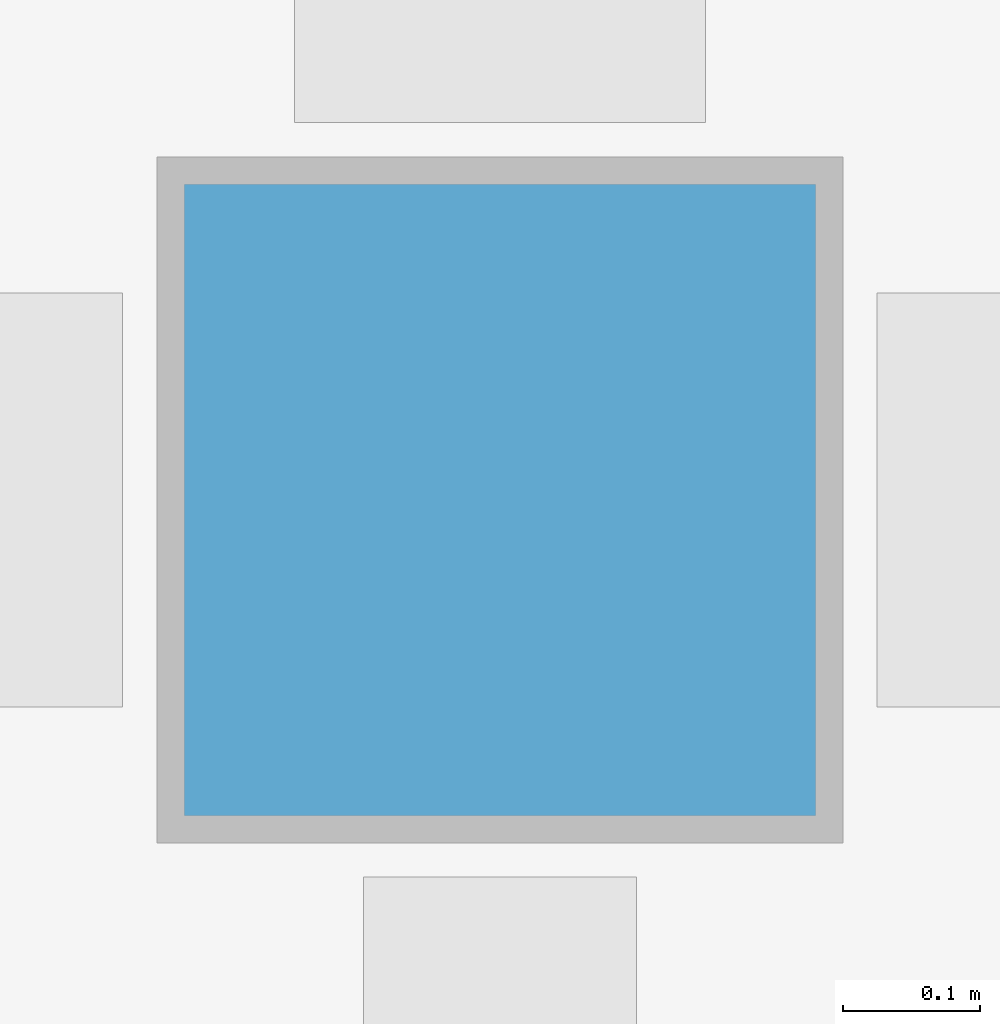
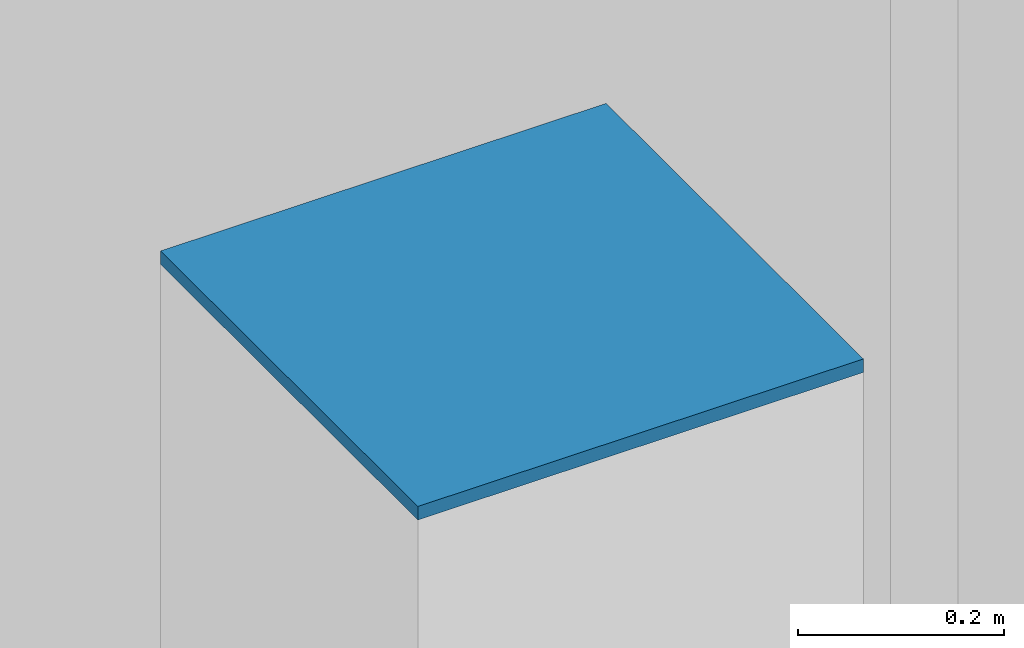
# One storey, part 85 of 103: 1 discrete accessory.
"""IFC4 building model written with IfcOpenShell, lengths in metres."""

from ifc_helpers import new_model, si_unit, direction, frame, origin, origin_2d, place, context, subcontext, project, spatial, rectangle, extrude, material, type_object, element, save


model = new_model("IFC4")

# Units and contexts
model_context = context("Model", 3, precision=1e-05, world=origin(), true_north=direction((0.0, 1.0)))
body_context = subcontext(model_context, "Body", "Model", "MODEL_VIEW")
ifc_project = project(units=[si_unit("LENGTHUNIT", "METRE"), si_unit("AREAUNIT", "SQUARE_METRE"), si_unit("VOLUMEUNIT", "CUBIC_METRE"), si_unit("PLANEANGLEUNIT", "RADIAN"), si_unit("MASSUNIT", "GRAM", prefix="KILO"), si_unit("THERMODYNAMICTEMPERATUREUNIT", "KELVIN")], contexts=[model_context])

# Site, building, storey
site_placement = place(None, origin())
site = spatial("IfcSite", under=ifc_project, at=site_placement, CompositionType="ELEMENT")
building_placement = place(site_placement, origin())
building = spatial("IfcBuilding", under=site, at=building_placement, Name="Lustrewick Department Store", CompositionType="ELEMENT")
storey_placement = place(building_placement, frame((0.0, 0.0, 16.5)))
storey = spatial("IfcBuildingStorey", under=building, at=storey_placement, Name="L04", CompositionType="ELEMENT", Elevation=16.5)

# Discrete accessory
ifc_material = material(Name="Structural steel Q355C", Category="steel")
discrete_accessory_type = type_object("IfcDiscreteAccessoryType", Name="ECP-01", PredefinedType="USERDEFINED", material=ifc_material)
discrete_accessory_placement = place(storey_placement, frame((142.800048828125, 92.39990234375, 5.093994140625), z_axis=(0.0, 0.0, 1.0), x_axis=(1.0, 0.0, 0.0)))
element("IfcDiscreteAccessory", 1, at=discrete_accessory_placement, inside=storey, type_object=discrete_accessory_type, Name="L04 Welded Hollow-Section End-Cap Plate ECP-01", ObjectType="END_CAP_PLATE", PredefinedType="USERDEFINED", context=body_context, shape_type="SweptSolid", body=[
    extrude(rectangle(XDim=0.5, YDim=0.5, at=origin_2d()), origin(), (0.0, 0.0, 1.0), 0.01611328125),
])

save(model, "model.ifc")
